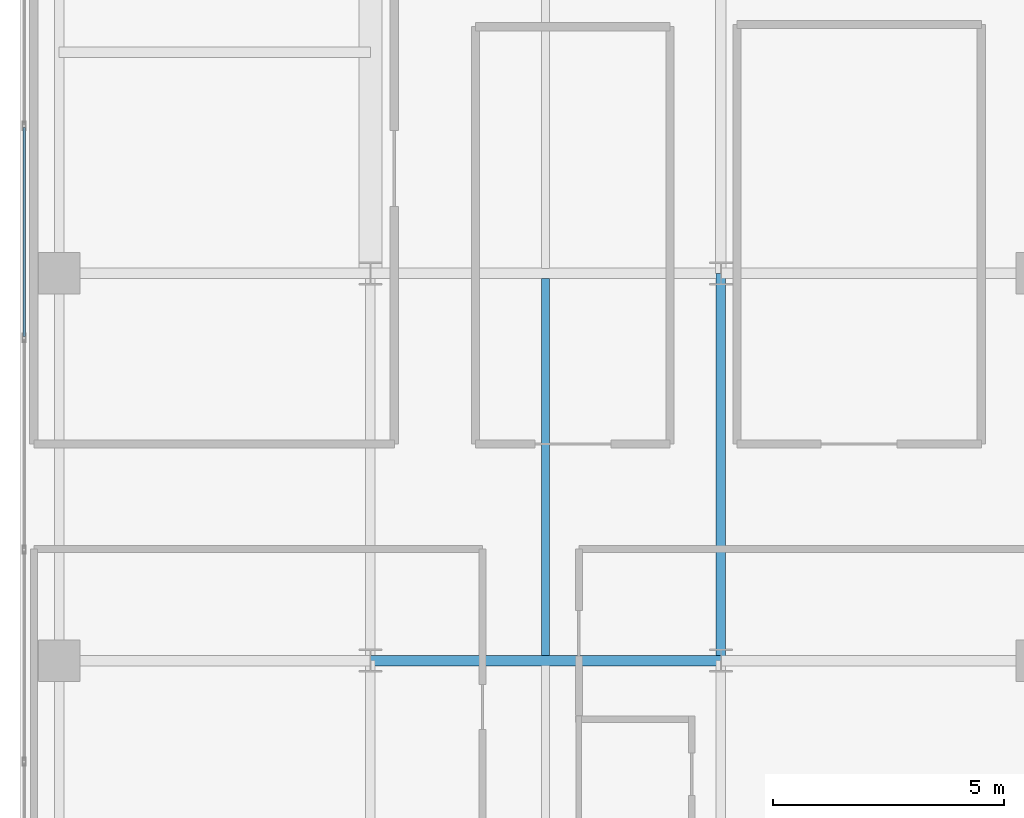
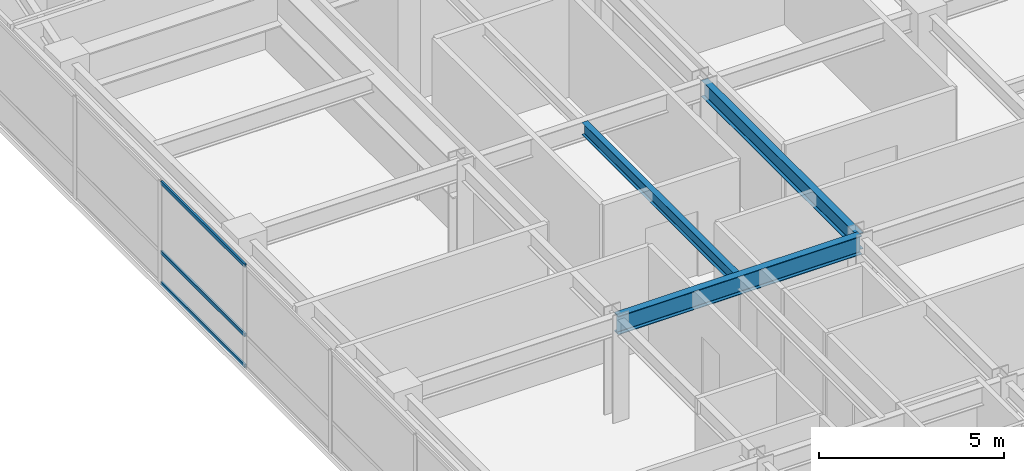
# One storey, part 9 of 37: 3 beams, 3 members, 1 element without a shape of its own.
"""IFC4 building model written with IfcOpenShell, lengths in metres."""

from ifc_helpers import new_model, si_unit, direction, frame, origin, origin_2d, place, context, subcontext, project, spatial, hollow_rectangle, i_section, extrude, source, transform, mapped, material, layer, layer_set, material_profile, profile_set, type_object, type_shapes, element, aggregate, save


model = new_model("IFC4")

# Units and contexts
model_context = context("Model", 3, precision=1e-05, world=origin(), true_north=direction((0.0, 1.0)))
body_context = subcontext(model_context, "Body", "Model", "MODEL_VIEW")
ifc_project = project(units=[si_unit("LENGTHUNIT", "METRE"), si_unit("AREAUNIT", "SQUARE_METRE"), si_unit("VOLUMEUNIT", "CUBIC_METRE"), si_unit("PLANEANGLEUNIT", "RADIAN"), si_unit("MASSUNIT", "GRAM", prefix="KILO")], contexts=[model_context])

# Site, building, storey
site_placement = place(None, origin())
site = spatial("IfcSite", under=ifc_project, at=site_placement, CompositionType="ELEMENT")
building_placement = place(site_placement, origin())
building = spatial("IfcBuilding", under=site, at=building_placement, Name="Tolvann Quenvar Hotel", CompositionType="ELEMENT")
storey_placement = place(building_placement, frame((0.0, 0.0, 104.449951171875)))
storey = spatial("IfcBuildingStorey", under=building, at=storey_placement, Name="L26", CompositionType="ELEMENT", Elevation=104.449951171875)

# Beams
ifc_material_1 = material(Name="Steel Grade 350", Category="steel")
ifc_material_profile_1 = material_profile(ifc_material_1, i_section(OverallWidth=0.22900390625, OverallDepth=0.612060546875, WebThickness=0.011962890625, FlangeThickness=0.01953125, FilletRadius=0.013916015625, at=origin_2d()), Name="610UB125")
ifc_profile_set_1 = profile_set([ifc_material_profile_1], Name="Steel Grade 350")
beam_type_1 = type_object("IfcBeamType", Name="BM_GIRD_610UB125", PredefinedType="BEAM", material=ifc_profile_set_1)
shared_shape_1 = source(origin(), body_context, "Body", "SweptSolid", [
    extrude(i_section(OverallWidth=0.22900390625, OverallDepth=0.612060546875, WebThickness=0.011962890625, FlangeThickness=0.01953125, FilletRadius=0.013916015625, at=origin_2d()), origin(), (0.0, 0.0, 1.0), 7.599853515625),
])
type_shapes(beam_type_1, [shared_shape_1])
beam_1_placement = place(storey_placement, frame((7.60009765625, 16.0, 3.06396484375), z_axis=(1.0, 0.0, 0.0), x_axis=(0.0, 1.0, 0.0)))
element("IfcBeam", 1, at=beam_1_placement, inside=storey, type_object=beam_type_1, Name="BM-L26-EW-4-C4-D4", PredefinedType="BEAM", context=body_context, shape_type="MappedRepresentation", body=[
    mapped(shared_shape_1, transform((0.0, 0.0, 0.0), x_axis=(1.0, 0.0, 0.0), y_axis=(0.0, 1.0, 0.0), z_axis=(0.0, 0.0, 1.0), scale=1.0)),
])
ifc_material_profile_2 = material_profile(ifc_material_1, i_section(OverallWidth=0.208984375, OverallDepth=0.532958984375, WebThickness=0.01025390625, FlangeThickness=0.015625, FilletRadius=0.013916015625, at=origin_2d()), Name="530UB92")
ifc_profile_set_2 = profile_set([ifc_material_profile_2], Name="Steel Grade 350")
beam_type_2 = type_object("IfcBeamType", Name="BM_GIRD_530UB92", PredefinedType="BEAM", material=ifc_profile_set_2)
shared_shape_2 = source(origin(), body_context, "Body", "SweptSolid", [
    extrude(i_section(OverallWidth=0.208984375, OverallDepth=0.532958984375, WebThickness=0.01025390625, FlangeThickness=0.015625, FilletRadius=0.013916015625, at=origin_2d()), origin(), (0.0, 0.0, 1.0), 8.39990234375),
])
type_shapes(beam_type_2, [shared_shape_2])
beam_2_placement = place(storey_placement, frame((15.199951171875, 16.0, 3.103515625), z_axis=(0.0, 1.0, 0.0), x_axis=(-1.0, 0.0, 0.0)))
element("IfcBeam", 2, at=beam_2_placement, inside=storey, type_object=beam_type_2, Name="BM-L26-NS-D4-D5", PredefinedType="BEAM", context=body_context, shape_type="MappedRepresentation", body=[
    mapped(shared_shape_2, transform((0.0, 0.0, 0.0), x_axis=(1.0, 0.0, 0.0), y_axis=(0.0, 1.0, 0.0), z_axis=(0.0, 0.0, 1.0), scale=1.0)),
])
ifc_material_profile_3 = material_profile(ifc_material_1, i_section(OverallWidth=0.177978515625, OverallDepth=0.406005859375, WebThickness=0.0078125, FlangeThickness=0.0126953125, FilletRadius=0.011474609375, at=origin_2d()), Name="410UB60")
ifc_profile_set_3 = profile_set([ifc_material_profile_3], Name="Steel Grade 350")
beam_type_3 = type_object("IfcBeamType", Name="BM_JOIST_410UB60", PredefinedType="JOIST", material=ifc_profile_set_3)
shared_shape_3 = source(origin(), body_context, "Body", "SweptSolid", [
    extrude(i_section(OverallWidth=0.177978515625, OverallDepth=0.406005859375, WebThickness=0.0078125, FlangeThickness=0.0126953125, FilletRadius=0.011474609375, at=origin_2d()), origin(), (0.0, 0.0, 1.0), 8.18310546875),
])
type_shapes(beam_type_3, [shared_shape_3])
beam_3_placement = place(storey_placement, frame((11.39990234375, 16.1083984375, 3.1669921875), z_axis=(0.0, 1.0, 0.0), x_axis=(-1.0, 0.0, 0.0)))
element("IfcBeam", 3, at=beam_3_placement, inside=storey, type_object=beam_type_3, Name="BJ-L26-114-160", PredefinedType="JOIST", context=body_context, shape_type="MappedRepresentation", body=[
    mapped(shared_shape_3, transform((0.0, 0.0, 0.0), x_axis=(1.0, 0.0, 0.0), y_axis=(0.0, 1.0, 0.0), z_axis=(0.0, 0.0, 1.0), scale=1.0)),
])

# Curtain wall, members
ifc_material_2 = material(Name="Thermally broken anodised architectural aluminium 6063-T6 and laminated low-E glass", Category="aluminium")
ifc_layer = layer(ifc_material_2, 0.179931640625)
ifc_layer_set = layer_set([ifc_layer], Name="Thermally broken anodised architectural aluminium 6063-T6 and laminated low-E glass")
curtain_wall_type = type_object("IfcCurtainWallType", Name="CW_SYS_BAND_04", PredefinedType="USERDEFINED", material=ifc_layer_set)
curtain_wall_placement = place(storey_placement, origin())
curtain_wall = element("IfcCurtainWall", 4, at=curtain_wall_placement, inside=storey, type_object=curtain_wall_type, Name="Curtain Wall CW-BAND-04 (CWR-L26-E23)", ObjectType="UNITISED CURTAIN WALL", PredefinedType="USERDEFINED")
ifc_material_3 = material(Name="Anodised architectural aluminium 6063-T6 framing", Category="aluminium")
ifc_material_profile_4 = material_profile(ifc_material_3, hollow_rectangle(XDim=0.06005859375, YDim=0.1201171875, WallThickness=0.00341796875, at=origin_2d()), Name="120x60x3.5RHS")
ifc_profile_set_4 = profile_set([ifc_material_profile_4], Name="Anodised architectural aluminium 6063-T6 framing")
member_type = type_object("IfcMemberType", Name="CW_TRAN_120x60", PredefinedType="USERDEFINED", material=ifc_profile_set_4)
shared_shape_4 = source(origin(), body_context, "Body", "SweptSolid", [
    extrude(hollow_rectangle(XDim=0.06005859375, YDim=0.1201171875, WallThickness=0.00341796875, at=origin_2d()), origin(), (0.0, 0.0, 1.0), 4.52587890625),
])
type_shapes(member_type, [shared_shape_4])
member_1_placement = place(storey_placement, frame((0.090087890625, 27.560791015625, 0.030029296875), z_axis=(0.0, -1.0, 0.0), x_axis=(1.0, 0.0, 0.0)))
member_1 = element("IfcMember", 5, at=member_1_placement, type_object=member_type, Name="CW-BAND-04 transom 4.1", ObjectType="TRANSOM", PredefinedType="USERDEFINED", context=body_context, shape_type="MappedRepresentation", body=[
    mapped(shared_shape_4, transform((0.0, 0.0, 0.0), x_axis=(1.0, 0.0, 0.0), y_axis=(0.0, 1.0, 0.0), z_axis=(0.0, 0.0, 1.0), scale=1.0)),
])
member_2_placement = place(storey_placement, frame((0.090087890625, 27.560791015625, 1.050048828125), z_axis=(0.0, -1.0, 0.0), x_axis=(1.0, 0.0, 0.0)))
member_2 = element("IfcMember", 6, at=member_2_placement, type_object=member_type, Name="CW-BAND-04 transom 4.2", ObjectType="TRANSOM", PredefinedType="USERDEFINED", context=body_context, shape_type="MappedRepresentation", body=[
    mapped(shared_shape_4, transform((0.0, 0.0, 0.0), x_axis=(1.0, 0.0, 0.0), y_axis=(0.0, 1.0, 0.0), z_axis=(0.0, 0.0, 1.0), scale=1.0)),
])
member_3_placement = place(storey_placement, frame((0.090087890625, 27.560791015625, 3.340087890625), z_axis=(0.0, -1.0, 0.0), x_axis=(1.0, 0.0, 0.0)))
member_3 = element("IfcMember", 7, at=member_3_placement, type_object=member_type, Name="CW-BAND-04 transom 4.3", ObjectType="TRANSOM", PredefinedType="USERDEFINED", context=body_context, shape_type="MappedRepresentation", body=[
    mapped(shared_shape_4, transform((0.0, 0.0, 0.0), x_axis=(1.0, 0.0, 0.0), y_axis=(0.0, 1.0, 0.0), z_axis=(0.0, 0.0, 1.0), scale=1.0)),
])
aggregate(curtain_wall, [member_1, member_2, member_3])

save(model, "model.ifc")
